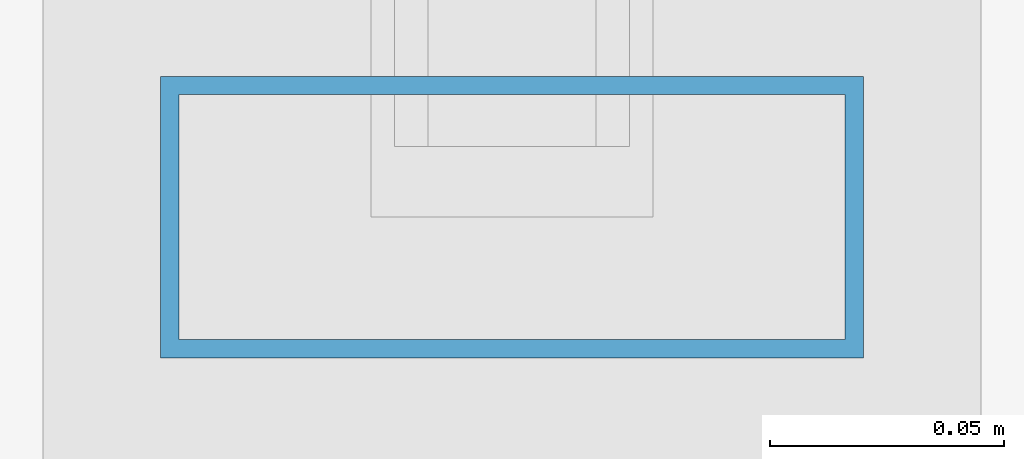
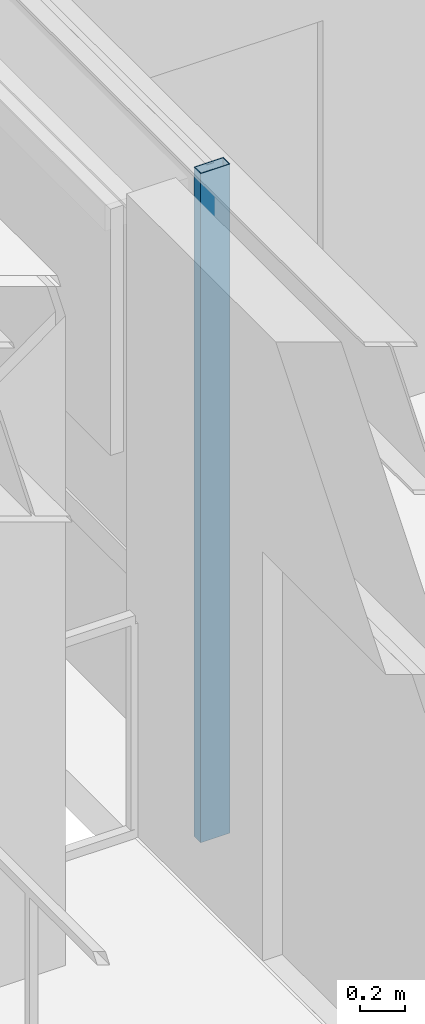
# One storey, part 10 of 28: 1 member, 1 element without a shape of its own.
"""IFC4 building model written with IfcOpenShell, lengths in metres."""

import ifcopenshell
import ifcopenshell.guid

model = None  # the IFC model being written
_history = None  # IfcOwnerHistory: only IFC2X3 demands one
_inside = {}  # id of a spatial element -> (the spatial element, [elements in it])
_under = {}  # id of a project, library or spatial element -> (it, [spatial elements below it])
_declared = {}  # id of a project -> (the project, [libraries it declares])
_typed = {}  # id of a type object -> (the type object, [elements of that type])
_made_of = {}  # id of a material, layer set ... -> (it, [elements and type objects made of it])


def new_model(schema):
    """Start an empty IFC model of exactly this schema.

    Asked for "IFC4X3", IfcOpenShell would pick the latest addendum, in which some entities
    have other attributes; the version numbers below select the first issue.
    IFC2X3 requires an IfcOwnerHistory on every rooted entity: one is made here for all.
    """
    global model, _history
    if schema == "IFC4X3":
        model = ifcopenshell.file(schema_version=(4, 3, 0, 0))
    else:
        model = ifcopenshell.file(schema=schema)
    _inside.clear()
    _under.clear()
    _declared.clear()
    _typed.clear()
    _made_of.clear()
    _history = None
    if model.schema == "IFC2X3":
        org = make("IfcOrganization", Name="unknown")
        user = make(
            "IfcPersonAndOrganization",
            ThePerson=make("IfcPerson", FamilyName="unknown"),
            TheOrganization=org,
        )
        app = make(
            "IfcApplication",
            ApplicationDeveloper=org,
            Version="unknown",
            ApplicationFullName="unknown",
            ApplicationIdentifier="unknown",
        )
        _history = make(
            "IfcOwnerHistory",
            OwningUser=user,
            OwningApplication=app,
            ChangeAction="ADDED",
            CreationDate=0,
        )
    return model


def make(cls, **values):
    """One entity of the class cls with the attributes given. An attribute that is None is left unset."""
    return model.create_entity(
        cls, **{name: value for name, value in values.items() if value is not None}
    )


def rooted(cls, **values):
    """An entity with a GlobalId (a new one), such as an element, a storey or a relation."""
    return make(cls, GlobalId=ifcopenshell.guid.new(), OwnerHistory=_history, **values)


def si_unit(unit_type, name, prefix=None):
    """IfcSIUnit, for example si_unit("LENGTHUNIT", "METRE", prefix="MILLI")."""
    return make("IfcSIUnit", UnitType=unit_type, Prefix=prefix, Name=name)


def assignment(units):
    """IfcUnitAssignment: the units of a project."""
    return None if units is None else make("IfcUnitAssignment", Units=units)


def point(xyz):
    """IfcCartesianPoint."""
    return None if xyz is None else make("IfcCartesianPoint", Coordinates=xyz)


def direction(xyz):
    """IfcDirection."""
    return None if xyz is None else make("IfcDirection", DirectionRatios=xyz)


def frame(location, z_axis=None, x_axis=None):
    """IfcAxis2Placement3D, a coordinate frame: its origin and axes. An axis left out is left unset."""
    return make(
        "IfcAxis2Placement3D",
        Location=point(location),
        Axis=direction(z_axis),
        RefDirection=direction(x_axis),
    )


def frame_2d(location, x_axis=None):
    """IfcAxis2Placement2D, a coordinate frame in the plane: its origin and x axis."""
    return make(
        "IfcAxis2Placement2D", Location=point(location), RefDirection=direction(x_axis)
    )


def origin():
    """The frame at (0, 0, 0) with its axes left unset."""
    return frame((0.0, 0.0, 0.0))


def origin_2d():
    """The frame at (0, 0) in the plane with its x axis left unset."""
    return frame_2d((0.0, 0.0))


def place(relative_to, where):
    """IfcLocalPlacement: puts the frame where relative to a parent placement (None: the world)."""
    return make(
        "IfcLocalPlacement", PlacementRelTo=relative_to, RelativePlacement=where
    )


def context(
    kind, dimensions, precision=None, world=None, true_north=None, identifier=None
):
    """IfcGeometricRepresentationContext, for example the 3D "Model" context."""
    return make(
        "IfcGeometricRepresentationContext",
        ContextIdentifier=identifier,
        ContextType=kind,
        CoordinateSpaceDimension=dimensions,
        Precision=precision,
        WorldCoordinateSystem=world,
        TrueNorth=true_north,
    )


def subcontext(parent, identifier, kind, view, scale=None):
    """IfcGeometricRepresentationSubContext, for example "Body" below "Model"."""
    return make(
        "IfcGeometricRepresentationSubContext",
        ContextIdentifier=identifier,
        ContextType=kind,
        ParentContext=parent,
        TargetScale=scale,
        TargetView=view,
    )


def project(units=None, contexts=None):
    """IfcProject with its units and contexts."""
    return rooted(
        "IfcProject",
        Name="project",
        RepresentationContexts=contexts,
        UnitsInContext=assignment(units),
    )


def spatial(cls, under=None, at=None, **own):
    """A site, building, storey or space (cls), placed at a placement, below another one or the project."""
    s = rooted(cls, ObjectPlacement=at, **own)
    if under is not None:
        _under.setdefault(under.id(), (under, []))[1].append(s)
    return s


def profile(cls, at=None, kind="AREA", **sizes):
    """A parametric profile (cls). Its sizes go by their IFC names, for example OverallWidth=200.0."""
    return make(cls, ProfileType=kind, Position=at, **sizes)


def hollow_rectangle(**sizes):
    """IfcRectangleHollowProfileDef."""
    return profile("IfcRectangleHollowProfileDef", **sizes)


def extrude(swept, where, along, depth):
    """IfcExtrudedAreaSolid: the profile swept, set in the frame where, extruded along a direction by depth."""
    return make(
        "IfcExtrudedAreaSolid",
        SweptArea=swept,
        Position=where,
        ExtrudedDirection=direction(along),
        Depth=depth,
    )


def shape(context_of_items, identifier, shape_type, items):
    """IfcShapeRepresentation: the items that make up one representation, for example the "Body"."""
    return make(
        "IfcShapeRepresentation",
        ContextOfItems=context_of_items,
        RepresentationIdentifier=identifier,
        RepresentationType=shape_type,
        Items=items,
    )


def material(Name=None, Category=None):
    """IfcMaterial."""
    return make("IfcMaterial", Name=Name, Category=Category)


def layer(
    of_material, thickness, ventilated=None, Name=None, Category=None, Priority=None
):
    """IfcMaterialLayer: one layer of a wall or slab, of a material (None: an air gap)."""
    return make(
        "IfcMaterialLayer",
        Material=of_material,
        LayerThickness=thickness,
        IsVentilated=ventilated,
        Name=Name,
        Category=Category,
        Priority=Priority,
    )


def layer_set(layers, Name=None):
    """IfcMaterialLayerSet."""
    return make("IfcMaterialLayerSet", MaterialLayers=layers, LayerSetName=Name)


def material_profile(
    of_material, cross_section, Name=None, Category=None, Priority=None
):
    """IfcMaterialProfile: a cross section and its material."""
    return make(
        "IfcMaterialProfile",
        Name=Name,
        Material=of_material,
        Profile=cross_section,
        Priority=Priority,
        Category=Category,
    )


def profile_set(profiles, Name=None, composite=None):
    """IfcMaterialProfileSet."""
    return make(
        "IfcMaterialProfileSet",
        Name=Name,
        MaterialProfiles=profiles,
        CompositeProfile=composite,
    )


def made_of(thing, what):
    """Note that an element or type object is made of a material, layer set ...; save() writes the relation."""
    if what is not None:
        _made_of.setdefault(what.id(), (what, []))[1].append(thing)
    return thing


def type_object(cls, material=None, **own):
    """A type object (cls), such as IfcWallType, which elements share."""
    return made_of(rooted(cls, **own), material)


def element(
    cls,
    number,
    at=None,
    inside=None,
    cuts=None,
    type_object=None,
    material=None,
    context=None,
    identifier="Body",
    shape_type=None,
    held_by="IfcProductDefinitionShape",
    body=None,
    shapes=None,
    **own,
):
    """One element of the class cls, such as IfcWall. Its Tag is "e" and its number.

    at: its placement. inside: the storey or other place that contains it. cuts: it is an
    opening in that element (IfcRelVoidsElement). A single representation is given by context,
    identifier, shape_type and body (its items); several are given by shapes. held_by: the class
    of the entity that holds the representations. save() writes the other relations.
    """
    e = rooted(cls, Tag="e%d" % number, ObjectPlacement=at, **own)
    if body is not None:
        shapes = [shape(context, identifier, shape_type, body)]
    if shapes is not None:
        e.Representation = make(held_by, Representations=shapes)
    if inside is not None:
        _inside.setdefault(inside.id(), (inside, []))[1].append(e)
    if cuts is not None:
        rooted(
            "IfcRelVoidsElement", RelatingBuildingElement=cuts, RelatedOpeningElement=e
        )
    if type_object is not None:
        _typed.setdefault(type_object.id(), (type_object, []))[1].append(e)
    return made_of(e, material)


def aggregate(whole, parts):
    """IfcRelAggregates: a whole, such as a stair, and the parts it consists of."""
    return rooted("IfcRelAggregates", RelatingObject=whole, RelatedObjects=parts)


def save(model, path):
    """Write the relations noted so far, then the file.

    IfcRelAggregates (storeys below a building ...), IfcRelContainedInSpatialStructure (elements
    in a storey), IfcRelDefinesByType, IfcRelAssociatesMaterial and IfcRelDeclares: one each for
    every whole, place, type object, material and project.
    """
    for whole, parts in _under.values():
        aggregate(whole, parts)
    for where, things in _inside.values():
        rooted(
            "IfcRelContainedInSpatialStructure",
            RelatedElements=things,
            RelatingStructure=where,
        )
    for kind, things in _typed.values():
        rooted("IfcRelDefinesByType", RelatedObjects=things, RelatingType=kind)
    for what, things in _made_of.values():
        rooted("IfcRelAssociatesMaterial", RelatedObjects=things, RelatingMaterial=what)
    for by, libraries in _declared.values():
        rooted("IfcRelDeclares", RelatingContext=by, RelatedDefinitions=libraries)
    model.write(path)


model = new_model("IFC4")

# Units and contexts
model_context = context("Model", 3, precision=1e-05, world=origin(), true_north=direction((0.0, 1.0)))
body_context = subcontext(model_context, "Body", "Model", "MODEL_VIEW")
ifc_project = project(units=[si_unit("LENGTHUNIT", "METRE"), si_unit("AREAUNIT", "SQUARE_METRE"), si_unit("VOLUMEUNIT", "CUBIC_METRE"), si_unit("PLANEANGLEUNIT", "RADIAN"), si_unit("MASSUNIT", "GRAM", prefix="KILO")], contexts=[model_context])

# Site, building, storey
site_placement = place(None, origin())
site = spatial("IfcSite", under=ifc_project, at=site_placement, CompositionType="ELEMENT")
building_placement = place(site_placement, origin())
building = spatial("IfcBuilding", under=site, at=building_placement, Name="Brelmoor Portico Tower", CompositionType="ELEMENT")
storey_placement = place(building_placement, frame((0.0, 0.0, 265.199951171875)))
storey = spatial("IfcBuildingStorey", under=building, at=storey_placement, Name="L70", CompositionType="ELEMENT", Elevation=265.199951171875)

# Curtain wall, member
ifc_material = material(Name="Anodised Aluminium Alloy 6063-T6", Category="aluminium")
ifc_layer = layer(ifc_material, 0.179931640625)
ifc_layer_set = layer_set([ifc_layer], Name="Anodised Aluminium Alloy 6063-T6")
curtain_wall_type = type_object("IfcCurtainWallType", Name="CW-TOWER-Z4", PredefinedType="NOTDEFINED", material=ifc_layer_set)
curtain_wall_placement = place(storey_placement, origin())
curtain_wall = element("IfcCurtainWall", 1, at=curtain_wall_placement, inside=storey, type_object=curtain_wall_type, Name="L70 Curtain Wall CW-L70-3R-1", PredefinedType="NOTDEFINED")
ifc_material_profile = material_profile(ifc_material, hollow_rectangle(XDim=0.06005859375, YDim=0.14990234375, WallThickness=0.00390625, at=origin_2d()), Name="ALU MULLION 60x150")
ifc_profile_set = profile_set([ifc_material_profile], Name="Anodised Aluminium Alloy 6063-T6")
member_type = type_object("IfcMemberType", Name="MB-CW-MULL-150", PredefinedType="MULLION", material=ifc_profile_set)
member_placement = place(storey_placement, frame((-18.550048828125, -1.0, -0.199951171875), z_axis=(0.0, 0.0, 1.0), x_axis=(0.0, 1.0, 0.0)))
member = element("IfcMember", 2, at=member_placement, type_object=member_type, Name="CW-L70-3R-1 Mullion 00", PredefinedType="MULLION", context=body_context, shape_type="SweptSolid", body=[
    extrude(hollow_rectangle(XDim=0.06005859375, YDim=0.14990234375, WallThickness=0.00390625, at=origin_2d()), origin(), (0.0, 0.0, 1.0), 3.60009765625),
])
aggregate(curtain_wall, [member])

save(model, "model.ifc")
